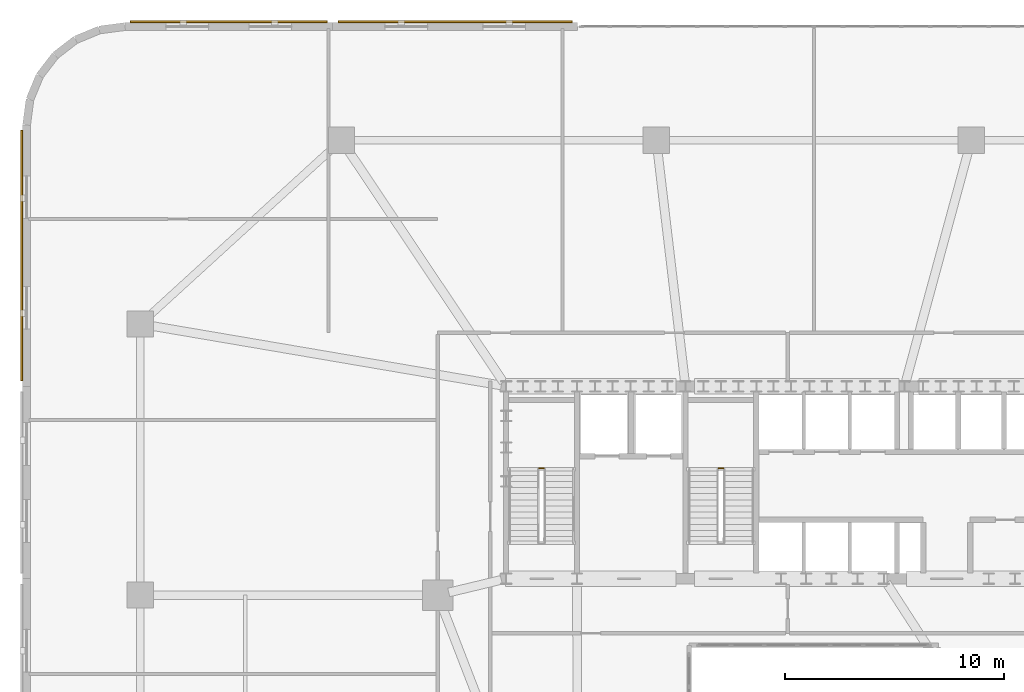
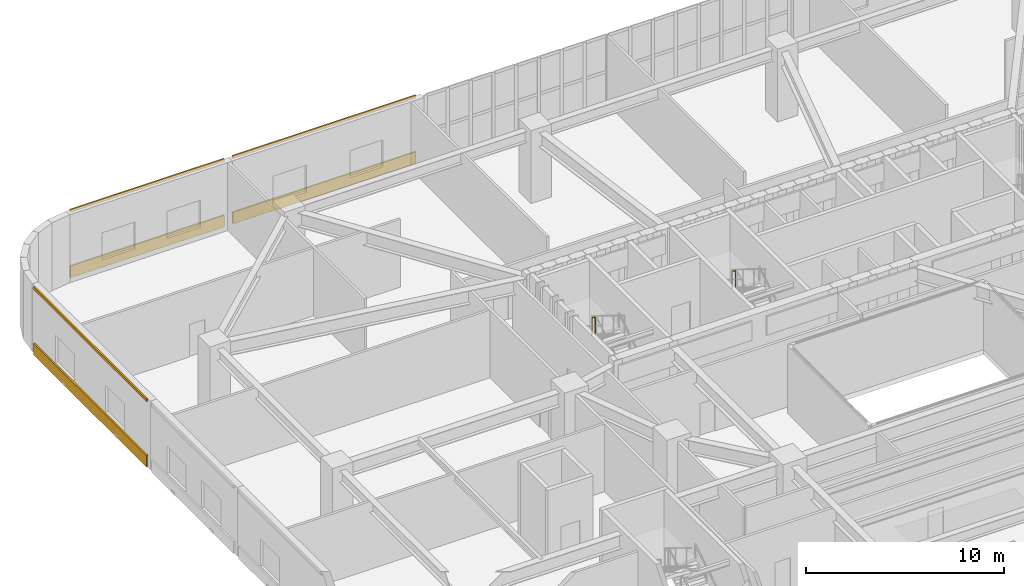
# One storey, part 23 of 25: 6 coverings, 2 railings.
"""IFC4 building model written with IfcOpenShell, lengths in metres."""

from ifc_helpers import new_model, si_unit, direction, frame, origin, origin_2d, place, context, subcontext, project, spatial, polyline, rectangle, outline, extrude, material, layer, layer_set, type_object, element, save


model = new_model("IFC4")

# Units and contexts
model_context = context("Model", 3, precision=1e-05, world=origin(), true_north=direction((0.0, 1.0)))
body_context = subcontext(model_context, "Body", "Model", "MODEL_VIEW")
ifc_project = project(units=[si_unit("LENGTHUNIT", "METRE"), si_unit("AREAUNIT", "SQUARE_METRE"), si_unit("VOLUMEUNIT", "CUBIC_METRE"), si_unit("PLANEANGLEUNIT", "RADIAN"), si_unit("MASSUNIT", "GRAM", prefix="KILO")], contexts=[model_context])

# Site, building, storey
site_placement = place(None, origin())
site = spatial("IfcSite", under=ifc_project, at=site_placement, CompositionType="ELEMENT")
building_placement = place(site_placement, origin())
building = spatial("IfcBuilding", under=site, at=building_placement, Name="Haldorwick Loom Tower", CompositionType="ELEMENT")
storey_placement = place(building_placement, frame((0.0, 0.0, 10.5)))
storey = spatial("IfcBuildingStorey", under=building, at=storey_placement, Name="L02", CompositionType="ELEMENT", Elevation=10.5)

# Coverings
ifc_material_1 = material(Name="Corbelled Pressed Clay Face Brick Veneer", Category="masonry")
ifc_layer = layer(ifc_material_1, 0.090087890625, Name="Corbelled Pressed Clay Face Brick Veneer", Category="masonry")
ifc_layer_set = layer_set([ifc_layer], Name="Corbelled Pressed Clay Face Brick Veneer")
covering_type = type_object("IfcCoveringType", Name="ARC-COV-BRICK090", PredefinedType="CLADDING", material=ifc_layer_set)
covering_1_placement = place(storey_placement, origin())
element("IfcCovering", 1, at=covering_1_placement, inside=storey, type_object=covering_type, Name="L02 Sill Face-Brick Spandrel 20", PredefinedType="CLADDING", context=body_context, shape_type="SweptSolid", body=[
    extrude(outline(polyline([(24.949951171875, 52.27001953125), (14.25, 52.27001953125), (14.25, 52.179931640625), (24.949951171875, 52.179931640625), (24.949951171875, 52.27001953125)])), origin(), (0.0, 0.0, 1.0), 0.719970703125),
])
covering_2_placement = place(storey_placement, frame((0.0, 0.0, 4.0400390625)))
element("IfcCovering", 2, at=covering_2_placement, inside=storey, type_object=covering_type, Name="L02 Head Face-Brick Lintel Band 20", PredefinedType="CLADDING", context=body_context, shape_type="SweptSolid", body=[
    extrude(outline(polyline([(24.949951171875, 52.27001953125), (14.25, 52.27001953125), (14.25, 52.179931640625), (24.949951171875, 52.179931640625), (24.949951171875, 52.27001953125)])), origin(), (0.0, 0.0, 1.0), 0.159912109375),
])
covering_3_placement = place(storey_placement, origin())
element("IfcCovering", 3, at=covering_3_placement, inside=storey, type_object=covering_type, Name="L02 Sill Face-Brick Spandrel 21", PredefinedType="CLADDING", context=body_context, shape_type="SweptSolid", body=[
    extrude(outline(polyline([(13.75, 52.27001953125), (4.75, 52.27001953125), (4.75, 52.179931640625), (13.75, 52.179931640625), (13.75, 52.27001953125)])), origin(), (0.0, 0.0, 1.0), 0.719970703125),
])
covering_4_placement = place(storey_placement, frame((0.0, 0.0, 4.0400390625)))
element("IfcCovering", 4, at=covering_4_placement, inside=storey, type_object=covering_type, Name="L02 Head Face-Brick Lintel Band 21", PredefinedType="CLADDING", context=body_context, shape_type="SweptSolid", body=[
    extrude(outline(polyline([(13.75, 52.27001953125), (4.75, 52.27001953125), (4.75, 52.179931640625), (13.75, 52.179931640625), (13.75, 52.27001953125)])), origin(), (0.0, 0.0, 1.0), 0.159912109375),
])
covering_5_placement = place(storey_placement, origin())
element("IfcCovering", 5, at=covering_5_placement, inside=storey, type_object=covering_type, Name="L02 Sill Face-Brick Spandrel 28", PredefinedType="CLADDING", context=body_context, shape_type="SweptSolid", body=[
    extrude(outline(polyline([(-0.27001953125, 47.25), (-0.27001953125, 35.800048828125), (-0.179931640625, 35.800048828125), (-0.179931640625, 47.25), (-0.27001953125, 47.25)])), origin(), (0.0, 0.0, 1.0), 0.719970703125),
])
covering_6_placement = place(storey_placement, frame((0.0, 0.0, 4.0400390625)))
element("IfcCovering", 6, at=covering_6_placement, inside=storey, type_object=covering_type, Name="L02 Head Face-Brick Lintel Band 28", PredefinedType="CLADDING", context=body_context, shape_type="SweptSolid", body=[
    extrude(outline(polyline([(-0.27001953125, 47.25), (-0.27001953125, 35.800048828125), (-0.179931640625, 35.800048828125), (-0.179931640625, 47.25), (-0.27001953125, 47.25)])), origin(), (0.0, 0.0, 1.0), 0.159912109375),
])

# Railings
ifc_material_2 = material(Name="Steel CSA G40.21 350W", Category="steel")
railing_type = type_object("IfcRailingType", Name="ARC-RLG-GUARD112", PredefinedType="GUARDRAIL", material=ifc_material_2)
railing_1_placement = place(storey_placement, frame((23.64990234375, 31.81005859375, 2.25)))
element("IfcRailing", 7, at=railing_1_placement, inside=storey, type_object=railing_type, Name="L02 ST-01 stair guard 2", PredefinedType="GUARDRAIL", context=body_context, shape_type="SweptSolid", body=[
    extrude(rectangle(XDim=0.048095703125, YDim=0.048095703125, at=origin_2d()), frame((0.0, 0.0, 1.076171875), z_axis=(-1.0, 0.0, 0.0), x_axis=(0.0, -1.0, 0.0)), (0.0, 0.0, 1.0), 0.199951171875),
    extrude(rectangle(XDim=0.0419921875, YDim=0.0419921875, at=origin_2d()), origin(), (0.0, 0.0, 1.0), 1.052001953125),
    extrude(rectangle(XDim=0.0419921875, YDim=0.0419921875, at=origin_2d()), frame((-0.199951171875, 0.0, 0.0)), (0.0, 0.0, 1.0), 1.052001953125),
])
railing_2_placement = place(storey_placement, frame((31.85009765625, 31.81005859375, 2.25)))
element("IfcRailing", 8, at=railing_2_placement, inside=storey, type_object=railing_type, Name="L02 ST-03 stair guard 2", PredefinedType="GUARDRAIL", context=body_context, shape_type="SweptSolid", body=[
    extrude(rectangle(XDim=0.048095703125, YDim=0.048095703125, at=origin_2d()), frame((0.0, 0.0, 1.076171875), z_axis=(-1.0, 0.0, 0.0), x_axis=(0.0, -1.0, 0.0)), (0.0, 0.0, 1.0), 0.2001953125),
    extrude(rectangle(XDim=0.0419921875, YDim=0.0419921875, at=origin_2d()), origin(), (0.0, 0.0, 1.0), 1.052001953125),
    extrude(rectangle(XDim=0.0419921875, YDim=0.0419921875, at=origin_2d()), frame((-0.2001953125, 0.0, 0.0)), (0.0, 0.0, 1.0), 1.052001953125),
])

save(model, "model.ifc")
